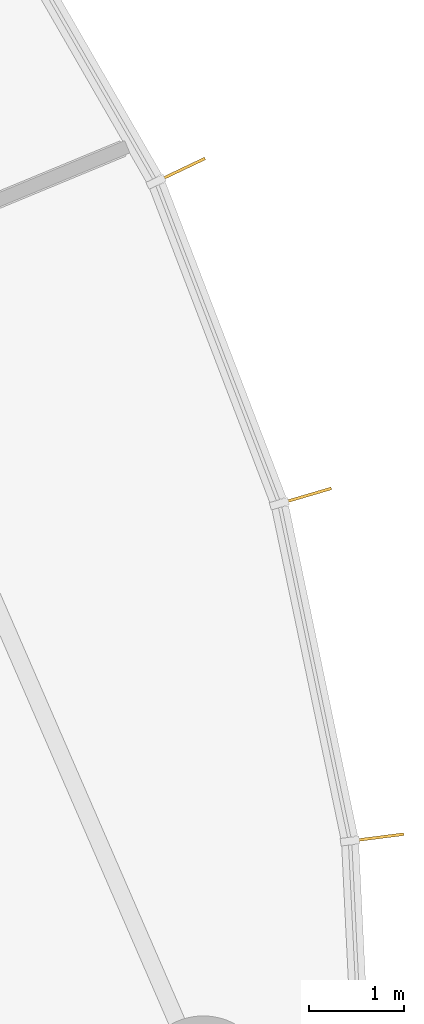
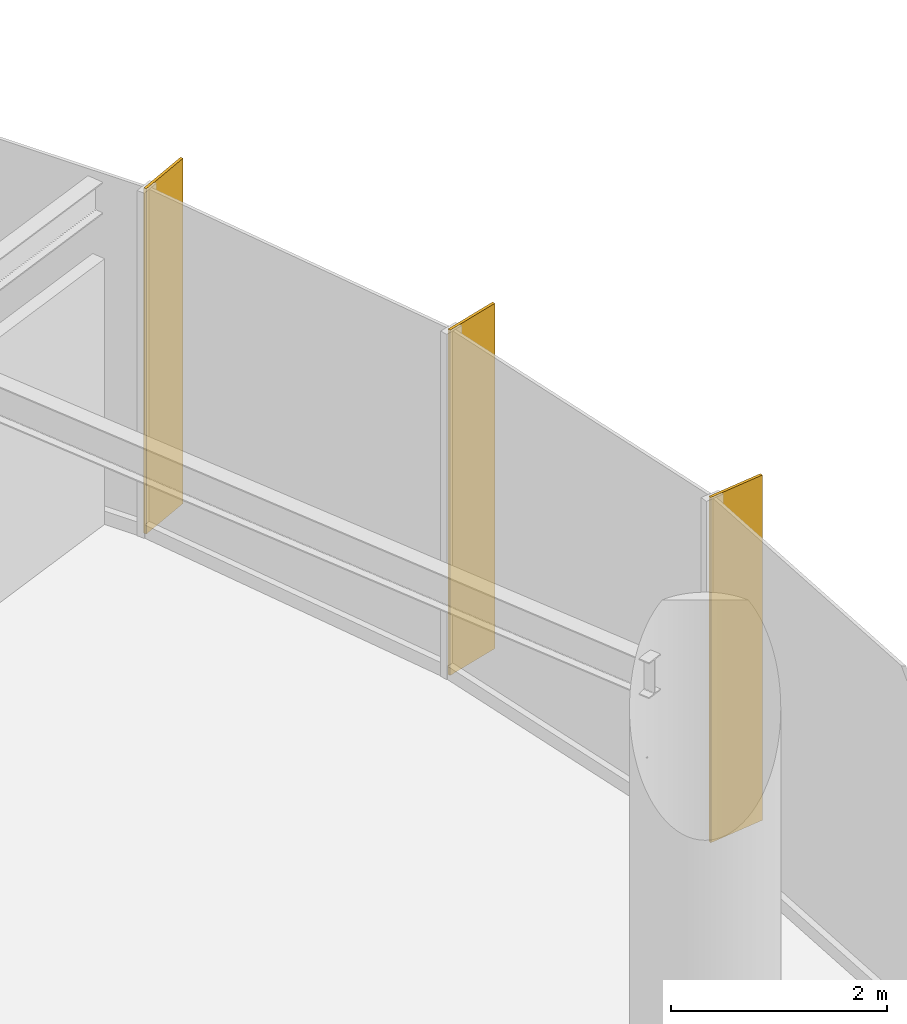
# One storey, part 18 of 18: 3 shading devices.
"""IFC4 building model written with IfcOpenShell, lengths in metres."""

from ifc_helpers import new_model, si_unit, direction, frame, origin, origin_2d, place, context, subcontext, project, spatial, rectangle, extrude, source, transform, mapped, material, material_profile, profile_set, type_object, element, save


model = new_model("IFC4")

# Units and contexts
model_context = context("Model", 3, precision=1e-05, world=origin(), true_north=direction((0.0, 1.0)))
body_context = subcontext(model_context, "Body", "Model", "MODEL_VIEW")
ifc_project = project(units=[si_unit("LENGTHUNIT", "METRE"), si_unit("AREAUNIT", "SQUARE_METRE"), si_unit("VOLUMEUNIT", "CUBIC_METRE"), si_unit("PLANEANGLEUNIT", "RADIAN"), si_unit("MASSUNIT", "GRAM", prefix="KILO")], contexts=[model_context])

# Site, building, storey
site_placement = place(None, origin())
site = spatial("IfcSite", under=ifc_project, at=site_placement, CompositionType="ELEMENT")
building_placement = place(site_placement, origin())
building = spatial("IfcBuilding", under=site, at=building_placement, Name="Spindrift Exchange Tower", CompositionType="ELEMENT")
storey_placement = place(building_placement, frame((0.0, 0.0, 71.0)))
storey = spatial("IfcBuildingStorey", under=building, at=storey_placement, Name="L16", CompositionType="ELEMENT", Elevation=71.0)

# Shading devices
ifc_material = material(Name="Bronze anodised aluminium", Category="aluminium")
ifc_material_profile = material_profile(ifc_material, rectangle(XDim=0.030029296875, YDim=0.60009765625, at=origin_2d()), Name="WIND FIN 30X600")
ifc_profile_set = profile_set([ifc_material_profile], Name="Bronze anodised aluminium")
shading_device_type = type_object("IfcShadingDeviceType", Name="WIND FIN 30X600", PredefinedType="USERDEFINED", material=ifc_profile_set)
shared_shape = source(origin(), body_context, "Body", "SweptSolid", [
    extrude(rectangle(XDim=0.030029296875, YDim=0.60009765625, at=origin_2d()), origin(), (0.0, 0.0, 1.0), 3.89990234375),
])
for number, where, z_axis, x_axis, name in (
    (1, (89.0498046875, 58.900390625, 0.0), (0.0, 0.0, 1.0), (-0.28224267054, 0.959343043403, 0.0), "L16 wind fin 2"),
    (2, (87.73779296875, 62.32470703125, 0.0), (0.0, 0.0, 1.0), (-0.429931294522, 0.90286160733, 0.0), "L16 wind fin 3"),
    (3, (89.80126953125, 55.31103515625, 0.0), (0.0, 0.0, 1.0), (-0.127504316427, 0.991838015652, 0.0), "L16 wind fin 4"),
):
    element("IfcShadingDevice", number, at=place(storey_placement, frame(where, z_axis=z_axis, x_axis=x_axis)), inside=storey, type_object=shading_device_type, Name=name, ObjectType="FIN", PredefinedType="USERDEFINED", context=body_context, shape_type="MappedRepresentation", body=[
        mapped(shared_shape, transform((0.0, 0.0, 0.0), scale=1.0)),
    ])

save(model, "model.ifc")
